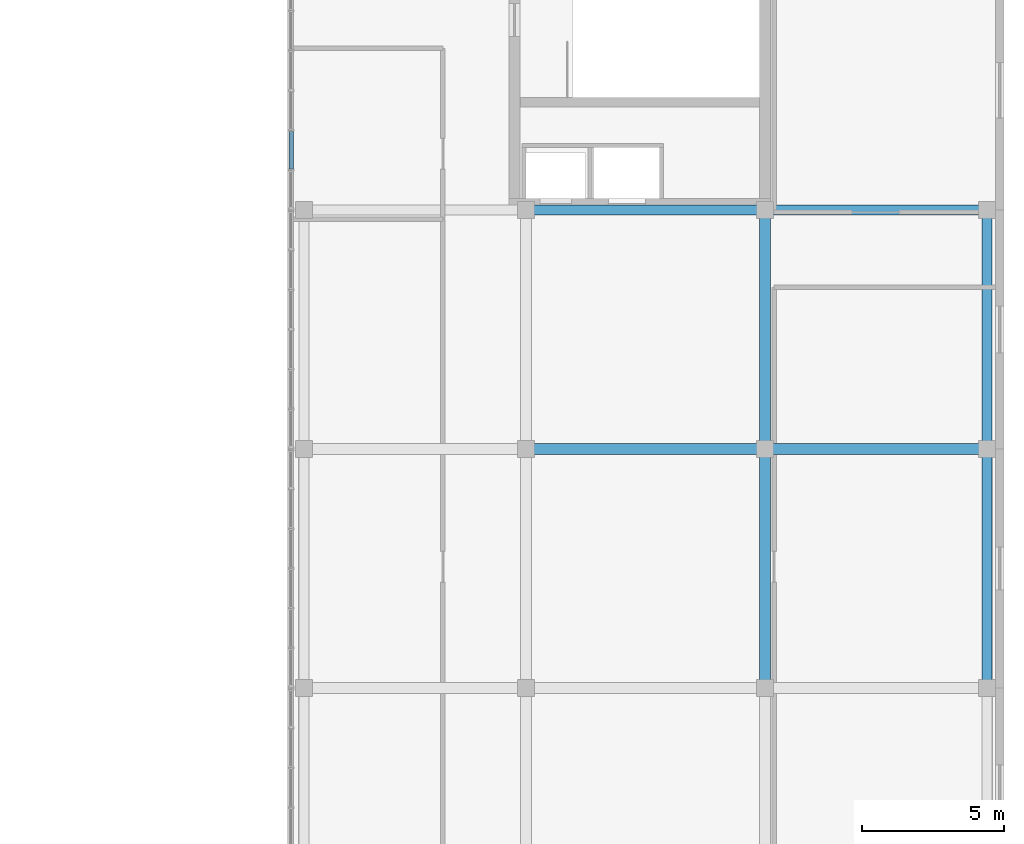
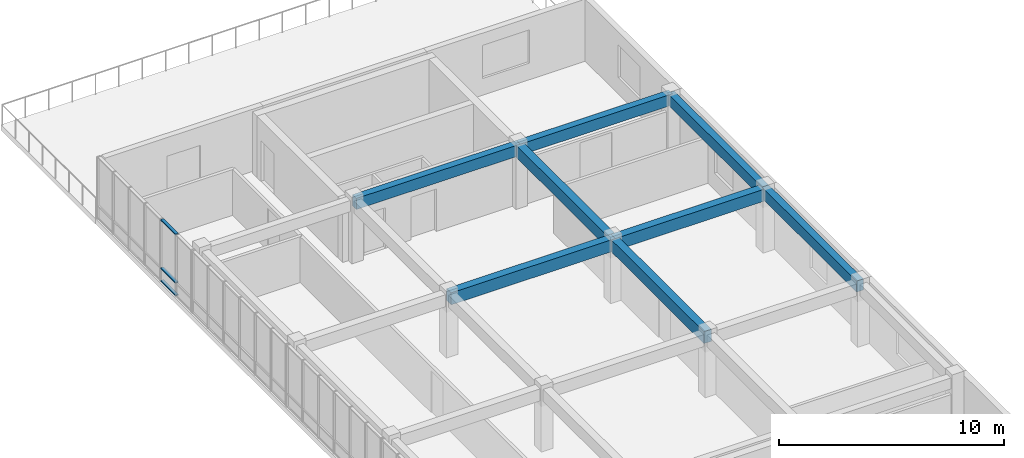
# One storey, part 97 of 144: 8 beams, 3 members, 1 element without a shape of its own.
"""IFC4 building model written with IfcOpenShell, lengths in metres."""

from ifc_helpers import new_model, si_unit, direction, frame, origin, origin_2d, place, context, subcontext, project, spatial, rectangle, hollow_rectangle, extrude, material, layer, layer_set, material_profile, profile_set, type_object, element, aggregate, save


model = new_model("IFC4")

# Units and contexts
model_context = context("Model", 3, precision=1e-05, world=origin(), true_north=direction((0.0, 1.0)))
body_context = subcontext(model_context, "Body", "Model", "MODEL_VIEW")
ifc_project = project(units=[si_unit("LENGTHUNIT", "METRE"), si_unit("AREAUNIT", "SQUARE_METRE"), si_unit("VOLUMEUNIT", "CUBIC_METRE"), si_unit("PLANEANGLEUNIT", "RADIAN"), si_unit("MASSUNIT", "GRAM", prefix="KILO")], contexts=[model_context])

# Site, building, storey
site_placement = place(None, origin())
site = spatial("IfcSite", under=ifc_project, at=site_placement, CompositionType="ELEMENT")
building_placement = place(site_placement, origin())
building = spatial("IfcBuilding", under=site, at=building_placement, Name="Zayran Congress Hotel", CompositionType="ELEMENT")
storey_placement = place(building_placement, frame((0.0, 0.0, 19.199951171875)))
storey = spatial("IfcBuildingStorey", under=building, at=storey_placement, Name="L04", CompositionType="ELEMENT", Elevation=19.199951171875)

# Beams
ifc_material_1 = material(Name="Concrete C40/50", Category="concrete")
ifc_material_profile_1 = material_profile(ifc_material_1, rectangle(XDim=0.39990234375, YDim=0.64990234375, at=origin_2d()), Name="RC 400x650")
ifc_profile_set_1 = profile_set([ifc_material_profile_1], Name="Concrete C40/50")
beam_type_1 = type_object("IfcBeamType", Name="TP-BM-03", PredefinedType="BEAM", material=ifc_profile_set_1)
beam_1_placement = place(storey_placement, frame((117.60009765625, 76.0, 3.03515625), z_axis=(1.0, 0.0, 0.0), x_axis=(0.0, 1.0, 0.0)))
element("IfcBeam", 1, at=beam_1_placement, inside=storey, type_object=beam_type_1, Name="BM-V4-L04-1567", PredefinedType="BEAM", context=body_context, shape_type="SweptSolid", body=[
    extrude(rectangle(XDim=0.39990234375, YDim=0.64990234375, at=origin_2d()), origin(), (0.0, 0.0, 1.0), 8.39990234375),
])
beam_2_placement = place(storey_placement, frame((126.0, 76.0, 3.03515625), z_axis=(1.0, 0.0, 0.0), x_axis=(0.0, 1.0, 0.0)))
element("IfcBeam", 2, at=beam_2_placement, inside=storey, type_object=beam_type_1, Name="BM-V4-L04-1568", PredefinedType="BEAM", context=body_context, shape_type="SweptSolid", body=[
    extrude(rectangle(XDim=0.39990234375, YDim=0.64990234375, at=origin_2d()), origin(), (0.0, 0.0, 1.0), 7.800048828125),
])
for number, where, z_axis, x_axis, name in (
    (3, (126.0, 67.60009765625, 3.03515625), (0.0, 1.0, 0.0), (-1.0, 0.0, 0.0), "BM-V4-L04-1579"),
    (4, (126.0, 76.0, 3.03515625), (0.0, 1.0, 0.0), (-1.0, 0.0, 0.0), "BM-V4-L04-1580"),
):
    element("IfcBeam", number, at=place(storey_placement, frame(where, z_axis=z_axis, x_axis=x_axis)), inside=storey, type_object=beam_type_1, Name=name, PredefinedType="BEAM", context=body_context, shape_type="SweptSolid", body=[
        extrude(rectangle(XDim=0.39990234375, YDim=0.64990234375, at=origin_2d()), origin(), (0.0, 0.0, 1.0), 8.39990234375),
    ])
ifc_material_profile_2 = material_profile(ifc_material_1, rectangle(XDim=0.35009765625, YDim=0.60009765625, at=origin_2d()), Name="RC 350x600")
ifc_profile_set_2 = profile_set([ifc_material_profile_2], Name="Concrete C40/50")
beam_type_2 = type_object("IfcBeamType", Name="TP-SP-01", PredefinedType="SPANDREL", material=ifc_profile_set_2)
beam_3_placement = place(storey_placement, frame((117.60009765625, 84.39990234375, 3.06005859375), z_axis=(1.0, 0.0, 0.0), x_axis=(0.0, 1.0, 0.0)))
element("IfcBeam", 5, at=beam_3_placement, inside=storey, type_object=beam_type_2, Name="BM-V4-L04-1570", PredefinedType="SPANDREL", context=body_context, shape_type="SweptSolid", body=[
    extrude(rectangle(XDim=0.35009765625, YDim=0.60009765625, at=origin_2d()), origin(), (0.0, 0.0, 1.0), 8.39990234375),
])
beam_4_placement = place(storey_placement, frame((126.0, 84.39990234375, 3.06005859375), z_axis=(1.0, 0.0, 0.0), x_axis=(0.0, 1.0, 0.0)))
element("IfcBeam", 6, at=beam_4_placement, inside=storey, type_object=beam_type_2, Name="BM-V4-L04-1571", PredefinedType="SPANDREL", context=body_context, shape_type="SweptSolid", body=[
    extrude(rectangle(XDim=0.35009765625, YDim=0.60009765625, at=origin_2d()), origin(), (0.0, 0.0, 1.0), 7.800048828125),
])
for number, where, z_axis, x_axis, name in (
    (7, (133.800048828125, 67.60009765625, 3.06005859375), (0.0, 1.0, 0.0), (-1.0, 0.0, 0.0), "BM-V4-L04-1582"),
    (8, (133.800048828125, 76.0, 3.06005859375), (0.0, 1.0, 0.0), (-1.0, 0.0, 0.0), "BM-V4-L04-1583"),
):
    element("IfcBeam", number, at=place(storey_placement, frame(where, z_axis=z_axis, x_axis=x_axis)), inside=storey, type_object=beam_type_2, Name=name, PredefinedType="SPANDREL", context=body_context, shape_type="SweptSolid", body=[
        extrude(rectangle(XDim=0.35009765625, YDim=0.60009765625, at=origin_2d()), origin(), (0.0, 0.0, 1.0), 8.39990234375),
    ])

# Curtain wall, members
ifc_material_2 = material(Name="Anodised aluminium and low-E insulated glass", Category="aluminium")
ifc_layer = layer(ifc_material_2, 0.179931640625)
ifc_layer_set = layer_set([ifc_layer], Name="Anodised aluminium and low-E insulated glass")
curtain_wall_type = type_object("IfcCurtainWallType", Name="CW-V4W-L04-CW-52-8395-3360", PredefinedType="USERDEFINED", material=ifc_layer_set)
curtain_wall_placement = place(storey_placement, origin())
curtain_wall = element("IfcCurtainWall", 9, at=curtain_wall_placement, inside=storey, type_object=curtain_wall_type, Name="CW-V4W-L04-4", ObjectType="CURTAIN WALL", PredefinedType="USERDEFINED")
ifc_material_3 = material(Name="Anodised aluminium framing", Category="aluminium")
ifc_material_profile_3 = material_profile(ifc_material_3, hollow_rectangle(XDim=0.06005859375, YDim=0.14990234375, WallThickness=0.00390625, at=origin_2d()), Name="RHS 150x60x4")
ifc_profile_set_3 = profile_set([ifc_material_profile_3], Name="Anodised aluminium framing")
member_type = type_object("IfcMemberType", Name="TP-CWT-01", PredefinedType="USERDEFINED", material=ifc_profile_set_3)
member_1_placement = place(storey_placement, frame((109.35009765625, 87.163330078125, 0.030029296875), z_axis=(0.0, -1.0, 0.0), x_axis=(0.0, 0.0, 1.0)))
member_1 = element("IfcMember", 10, at=member_1_placement, type_object=member_type, Name="CW-V4W-L04-4-T04-0", ObjectType="TRANSOM", PredefinedType="USERDEFINED", context=body_context, shape_type="SweptSolid", body=[
    extrude(hollow_rectangle(XDim=0.06005859375, YDim=0.14990234375, WallThickness=0.00390625, at=origin_2d()), origin(), (0.0, 0.0, 1.0), 1.319091796875),
])
member_2_placement = place(storey_placement, frame((109.35009765625, 87.163330078125, 0.719970703125), z_axis=(0.0, -1.0, 0.0), x_axis=(0.0, 0.0, 1.0)))
member_2 = element("IfcMember", 11, at=member_2_placement, type_object=member_type, Name="CW-V4W-L04-4-T04-1", ObjectType="TRANSOM", PredefinedType="USERDEFINED", context=body_context, shape_type="SweptSolid", body=[
    extrude(hollow_rectangle(XDim=0.06005859375, YDim=0.14990234375, WallThickness=0.00390625, at=origin_2d()), origin(), (0.0, 0.0, 1.0), 1.319091796875),
])
member_3_placement = place(storey_placement, frame((109.35009765625, 87.163330078125, 3.330078125), z_axis=(0.0, -1.0, 0.0), x_axis=(0.0, 0.0, 1.0)))
member_3 = element("IfcMember", 12, at=member_3_placement, type_object=member_type, Name="CW-V4W-L04-4-T04-2", ObjectType="TRANSOM", PredefinedType="USERDEFINED", context=body_context, shape_type="SweptSolid", body=[
    extrude(hollow_rectangle(XDim=0.06005859375, YDim=0.14990234375, WallThickness=0.00390625, at=origin_2d()), origin(), (0.0, 0.0, 1.0), 1.319091796875),
])
aggregate(curtain_wall, [member_1, member_2, member_3])

save(model, "model.ifc")
